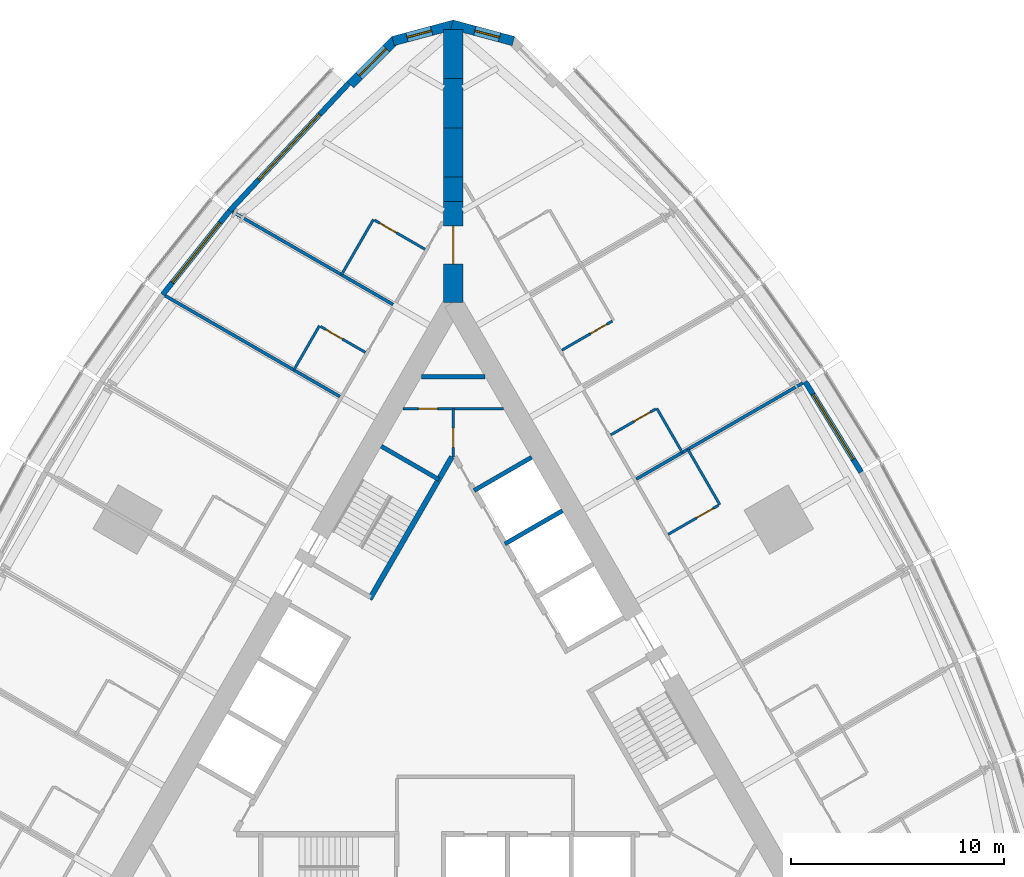
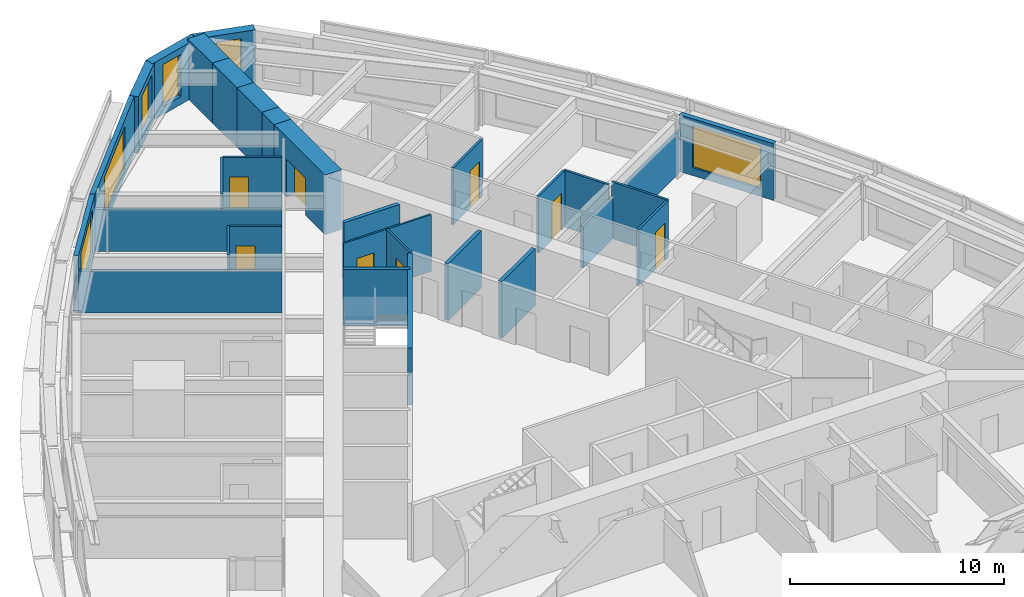
# One storey, part 12 of 14: 30 walls, 8 doors, 6 windows, 14 openings.
"""IFC4 building model written with IfcOpenShell, lengths in metres."""

from ifc_helpers import new_model, si_unit, direction, frame, frame_2d, origin, place, context, subcontext, project, spatial, polyline, rectangle, outline, extrude, material, layer, layer_set, type_object, element, fill, save


model = new_model("IFC4")

# Units and contexts
model_context = context("Model", 3, precision=1e-05, world=origin(), true_north=direction((0.0, 1.0)))
body_context = subcontext(model_context, "Body", "Model", "MODEL_VIEW")
ifc_project = project(units=[si_unit("LENGTHUNIT", "METRE"), si_unit("AREAUNIT", "SQUARE_METRE"), si_unit("VOLUMEUNIT", "CUBIC_METRE"), si_unit("PLANEANGLEUNIT", "RADIAN"), si_unit("MASSUNIT", "GRAM", prefix="KILO")], contexts=[model_context])

# Site, building, storey
site_placement = place(None, origin())
site = spatial("IfcSite", under=ifc_project, at=site_placement, CompositionType="ELEMENT")
building_placement = place(site_placement, origin())
building = spatial("IfcBuilding", under=site, at=building_placement, Name="Trikona Tower", CompositionType="ELEMENT")
storey_placement = place(building_placement, frame((0.0, 0.0, 45.5)))
storey = spatial("IfcBuildingStorey", under=building, at=storey_placement, Name="L10", CompositionType="ELEMENT", Elevation=45.5)

# Wall
ifc_material_1 = material(Name="Metal stud and cement board", Category="gypsum")
ifc_layer_1 = layer(ifc_material_1, 0.1201171875)
ifc_layer_set_1 = layer_set([ifc_layer_1], Name="Bathroom wall 120")
wall_type_1 = type_object("IfcWallType", Name="Bathroom wall 120", PredefinedType="PLUMBINGWALL", material=ifc_layer_set_1)
wall_1_placement = place(storey_placement, frame((12.53271484375, 9.545166015625, 0.0), z_axis=(0.0, 0.0, 1.0), x_axis=(-0.499990139034, 0.866031096941, 0.0)))
element("IfcWall", 1, at=wall_1_placement, inside=storey, type_object=wall_type_1, Name="Bathroom wall 1009", PredefinedType="PLUMBINGWALL", context=body_context, shape_type="SweptSolid", body=[
    extrude(rectangle(XDim=3.0, YDim=0.1201171875, at=frame_2d((1.5, 0.0))), origin(), (0.0, 0.0, 1.0), 3.235107421875),
])

# Wall, opening, door
wall_2_placement = place(storey_placement, frame((10.10791015625, 8.145263671875, 0.0), z_axis=(0.0, 0.0, 1.0), x_axis=(0.866035715982, 0.499982138324, 0.0)))
wall_2 = element("IfcWall", 2, at=wall_2_placement, inside=storey, type_object=wall_type_1, Name="Bathroom wall 1009", PredefinedType="PLUMBINGWALL", context=body_context, shape_type="SweptSolid", body=[
    extrude(rectangle(XDim=2.73974609375, YDim=0.1201171875, at=frame_2d((1.369873046875, 0.0))), origin(), (0.0, 0.0, 1.0), 3.235107421875),
])
opening_1_placement = place(wall_2_placement, frame((1.550048828125, 0.0, 0.0)))
opening_1 = element("IfcOpeningElement", 3, at=opening_1_placement, cuts=wall_2, Name="Opening D2", PredefinedType="OPENING", context=body_context, shape_type="SweptSolid", body=[
    extrude(rectangle(XDim=0.89990234375, YDim=2.1298828125, at=frame_2d((0.449951171875, 1.06494140625))), frame((0.0, 0.070068359375, 0.0), z_axis=(0.0, -1.0, 0.0), x_axis=(1.0, 0.0, 0.0)), (0.0, 0.0, 1.0), 0.14013671875),
])
ifc_material_2 = material(Name="Steel door frame with solid-core timber leaf", Category="steel")
door_type_1 = type_object("IfcDoorType", Name="Bathroom door 900x2130", OperationType="SLIDING_TO_LEFT", PredefinedType="DOOR", material=ifc_material_2)
door_1_placement = place(opening_1_placement, origin())
door_1 = element("IfcDoor", 4, at=door_1_placement, inside=storey, type_object=door_type_1, Name="Bathroom door 1009", OperationType="SLIDING_TO_LEFT", OverallHeight=2.1298828125, OverallWidth=0.89990234375, PredefinedType="DOOR", context=body_context, shape_type="SweptSolid", body=[
    extrude(rectangle(XDim=0.89990234375, YDim=2.1298828125, at=frame_2d((0.449951171875, 1.06494140625))), frame((0.0, 0.02490234375, 0.0), z_axis=(0.0, -1.0, 0.0), x_axis=(1.0, 0.0, 0.0)), (0.0, 0.0, 1.0), 0.050048828125),
])
fill(opening_1, door_1)

# Wall
wall_3_placement = place(storey_placement, frame((10.77294921875, 11.993408203125, 0.0), z_axis=(0.0, 0.0, 1.0), x_axis=(-0.500001309137, 0.866024647952, 0.0)))
element("IfcWall", 5, at=wall_3_placement, inside=storey, type_object=wall_type_1, Name="Bathroom wall 1010", PredefinedType="PLUMBINGWALL", context=body_context, shape_type="SweptSolid", body=[
    extrude(rectangle(XDim=2.39990234375, YDim=0.1201171875, at=frame_2d((1.199951171875, 0.0))), origin(), (0.0, 0.0, 1.0), 3.235107421875),
])

# Wall, opening, door
wall_4_placement = place(storey_placement, frame((7.407958984375, 12.82177734375, 0.0), z_axis=(0.0, 0.0, 1.0), x_axis=(0.866023955769, 0.500002508028, 0.0)))
wall_4 = element("IfcWall", 6, at=wall_4_placement, inside=storey, type_object=wall_type_1, Name="Bathroom wall 1010", PredefinedType="PLUMBINGWALL", context=body_context, shape_type="SweptSolid", body=[
    extrude(rectangle(XDim=2.43994140625, YDim=0.1201171875, at=frame_2d((1.219970703125, 0.0))), origin(), (0.0, 0.0, 1.0), 3.235107421875),
])
opening_2_placement = place(wall_4_placement, frame((1.25, 0.0, 0.0)))
opening_2 = element("IfcOpeningElement", 7, at=opening_2_placement, cuts=wall_4, Name="Opening D2", PredefinedType="OPENING", context=body_context, shape_type="SweptSolid", body=[
    extrude(rectangle(XDim=0.89990234375, YDim=2.1298828125, at=frame_2d((0.449951171875, 1.06494140625))), frame((0.0, 0.070068359375, 0.0), z_axis=(0.0, -1.0, 0.0), x_axis=(1.0, 0.0, 0.0)), (0.0, 0.0, 1.0), 0.14013671875),
])
door_2_placement = place(opening_2_placement, origin())
door_2 = element("IfcDoor", 8, at=door_2_placement, inside=storey, type_object=door_type_1, Name="Bathroom door 1010", OperationType="SLIDING_TO_LEFT", OverallHeight=2.1298828125, OverallWidth=0.89990234375, PredefinedType="DOOR", context=body_context, shape_type="SweptSolid", body=[
    extrude(rectangle(XDim=0.89990234375, YDim=2.1298828125, at=frame_2d((0.449951171875, 1.06494140625))), frame((0.0, 0.02490234375, 0.0), z_axis=(0.0, -1.0, 0.0), x_axis=(1.0, 0.0, 0.0)), (0.0, 0.0, 1.0), 0.050048828125),
])
fill(opening_2, door_2)

wall_5_placement = place(storey_placement, frame((5.10791015625, 16.805419921875, 0.0), z_axis=(0.0, 0.0, 1.0), x_axis=(0.866035715982, 0.499982138324, 0.0)))
wall_5 = element("IfcWall", 9, at=wall_5_placement, inside=storey, type_object=wall_type_1, Name="Bathroom wall 1011", PredefinedType="PLUMBINGWALL", context=body_context, shape_type="SweptSolid", body=[
    extrude(rectangle(XDim=2.73974609375, YDim=0.1201171875, at=frame_2d((1.369873046875, 0.0))), origin(), (0.0, 0.0, 1.0), 3.235107421875),
])
opening_3_placement = place(wall_5_placement, frame((1.550048828125, 0.0, 0.0)))
opening_3 = element("IfcOpeningElement", 10, at=opening_3_placement, cuts=wall_5, Name="Opening D2", PredefinedType="OPENING", context=body_context, shape_type="SweptSolid", body=[
    extrude(rectangle(XDim=0.89990234375, YDim=2.1298828125, at=frame_2d((0.449951171875, 1.06494140625))), frame((0.0, 0.070068359375, 0.0), z_axis=(0.0, -1.0, 0.0), x_axis=(1.0, 0.0, 0.0)), (0.0, 0.0, 1.0), 0.14013671875),
])
door_3_placement = place(opening_3_placement, origin())
door_3 = element("IfcDoor", 11, at=door_3_placement, inside=storey, type_object=door_type_1, Name="Bathroom door 1011", OperationType="SLIDING_TO_LEFT", OverallHeight=2.1298828125, OverallWidth=0.89990234375, PredefinedType="DOOR", context=body_context, shape_type="SweptSolid", body=[
    extrude(rectangle(XDim=0.89990234375, YDim=2.1298828125, at=frame_2d((0.449951171875, 1.06494140625))), frame((0.0, 0.02490234375, 0.0), z_axis=(0.0, -1.0, 0.0), x_axis=(1.0, 0.0, 0.0)), (0.0, 0.0, 1.0), 0.050048828125),
])
fill(opening_3, door_3)

# Wall
wall_6_placement = place(storey_placement, frame((-3.75341796875, 22.95166015625, 0.0), z_axis=(0.0, 0.0, 1.0), x_axis=(-0.499990139034, -0.866031096941, 0.0)))
element("IfcWall", 12, at=wall_6_placement, inside=storey, type_object=wall_type_1, Name="Bathroom wall 1013", PredefinedType="PLUMBINGWALL", context=body_context, shape_type="SweptSolid", body=[
    extrude(rectangle(XDim=3.0, YDim=0.1201171875, at=frame_2d((1.5, 0.0))), origin(), (0.0, 0.0, 1.0), 3.235107421875),
])

# Wall, opening, door
wall_7_placement = place(storey_placement, frame((-1.32861328125, 21.551513671875, 0.0), z_axis=(0.0, 0.0, 1.0), x_axis=(-0.865997131366, 0.500048966069, 0.0)))
wall_7 = element("IfcWall", 13, at=wall_7_placement, inside=storey, type_object=wall_type_1, Name="Bathroom wall 1013", PredefinedType="PLUMBINGWALL", context=body_context, shape_type="SweptSolid", body=[
    extrude(rectangle(XDim=2.739990234375, YDim=0.1201171875, at=frame_2d((1.3701171875, 0.0))), origin(), (0.0, 0.0, 1.0), 3.235107421875),
])
opening_4_placement = place(wall_7_placement, frame((1.550048828125, 0.0, 0.0)))
opening_4 = element("IfcOpeningElement", 14, at=opening_4_placement, cuts=wall_7, Name="Opening D2", PredefinedType="OPENING", context=body_context, shape_type="SweptSolid", body=[
    extrude(rectangle(XDim=0.89990234375, YDim=2.1298828125, at=frame_2d((0.449951171875, 1.06494140625))), frame((0.0, 0.070068359375, 0.0), z_axis=(0.0, -1.0, 0.0), x_axis=(1.0, 0.0, 0.0)), (0.0, 0.0, 1.0), 0.14013671875),
])
door_4_placement = place(opening_4_placement, origin())
door_4 = element("IfcDoor", 15, at=door_4_placement, inside=storey, type_object=door_type_1, Name="Bathroom door 1013", OperationType="SLIDING_TO_LEFT", OverallHeight=2.1298828125, OverallWidth=0.89990234375, PredefinedType="DOOR", context=body_context, shape_type="SweptSolid", body=[
    extrude(rectangle(XDim=0.89990234375, YDim=2.1298828125, at=frame_2d((0.449951171875, 1.06494140625))), frame((0.0, 0.02490234375, 0.0), z_axis=(0.0, -1.0, 0.0), x_axis=(1.0, 0.0, 0.0)), (0.0, 0.0, 1.0), 0.050048828125),
])
fill(opening_4, door_4)

# Wall
wall_8_placement = place(storey_placement, frame((-6.29345703125, 17.951904296875, 0.0), z_axis=(0.0, 0.0, 1.0), x_axis=(-0.499957262057, -0.866050077142, 0.0)))
element("IfcWall", 16, at=wall_8_placement, inside=storey, type_object=wall_type_1, Name="Bathroom wall 1014", PredefinedType="PLUMBINGWALL", context=body_context, shape_type="SweptSolid", body=[
    extrude(rectangle(XDim=2.400146484375, YDim=0.1201171875, at=frame_2d((1.2001953125, 0.0))), origin(), (0.0, 0.0, 1.0), 3.235107421875),
])

# Wall, opening, door
wall_9_placement = place(storey_placement, frame((-4.12841796875, 16.701904296875, 0.0), z_axis=(0.0, 0.0, 1.0), x_axis=(-0.866048967903, 0.499959183527, 0.0)))
wall_9 = element("IfcWall", 17, at=wall_9_placement, inside=storey, type_object=wall_type_1, Name="Bathroom wall 1014", PredefinedType="PLUMBINGWALL", context=body_context, shape_type="SweptSolid", body=[
    extrude(rectangle(XDim=2.440185546875, YDim=0.1201171875, at=frame_2d((1.22021484375, 0.0))), origin(), (0.0, 0.0, 1.0), 3.235107421875),
])
opening_5_placement = place(wall_9_placement, frame((1.25, 0.0, 0.0)))
opening_5 = element("IfcOpeningElement", 18, at=opening_5_placement, cuts=wall_9, Name="Opening D2", PredefinedType="OPENING", context=body_context, shape_type="SweptSolid", body=[
    extrude(rectangle(XDim=0.89990234375, YDim=2.1298828125, at=frame_2d((0.449951171875, 1.06494140625))), frame((0.0, 0.070068359375, 0.0), z_axis=(0.0, -1.0, 0.0), x_axis=(1.0, 0.0, 0.0)), (0.0, 0.0, 1.0), 0.14013671875),
])
door_5_placement = place(opening_5_placement, origin())
door_5 = element("IfcDoor", 19, at=door_5_placement, inside=storey, type_object=door_type_1, Name="Bathroom door 1014", OperationType="SLIDING_TO_LEFT", OverallHeight=2.1298828125, OverallWidth=0.89990234375, PredefinedType="DOOR", context=body_context, shape_type="SweptSolid", body=[
    extrude(rectangle(XDim=0.89990234375, YDim=2.1298828125, at=frame_2d((0.449951171875, 1.06494140625))), frame((0.0, 0.02490234375, 0.0), z_axis=(0.0, -1.0, 0.0), x_axis=(1.0, 0.0, 0.0)), (0.0, 0.0, 1.0), 0.050048828125),
])
fill(opening_5, door_5)

# Wall, opening, window
ifc_material_3 = material(Name="Brick-faced precast concrete", Category="masonry")
ifc_layer_2 = layer(ifc_material_3, 0.449951171875)
ifc_layer_set_2 = layer_set([ifc_layer_2], Name="Brick-faced corner wall 450")
wall_type_2 = type_object("IfcWallType", Name="Brick-faced corner wall 450", PredefinedType="SOLIDWALL", material=ifc_layer_set_2)
wall_10_placement = place(storey_placement, frame((2.82861328125, 31.3408203125, 0.0), z_axis=(0.0, 0.0, 1.0), x_axis=(-0.965930548995, 0.258801419081, 0.0)))
wall_10 = element("IfcWall", 20, at=wall_10_placement, inside=storey, type_object=wall_type_2, Name="External wall L10-21", PredefinedType="SOLIDWALL", context=body_context, shape_type="SweptSolid", body=[
    extrude(outline(polyline([(2.988525390625, 0.22509765625), (2.92919921875, 0.22509765625), (2.4375, 0.09326171875), (2.40234375, 0.22509765625), (0.0, 0.22509765625), (0.0, -0.22509765625), (2.988525390625, -0.22509765625), (2.988525390625, 0.22509765625)])), origin(), (0.0, 0.0, 1.0), 3.235107421875),
])
opening_6_placement = place(wall_10_placement, frame((0.676025390625, 0.0, 0.449951171875)))
opening_6 = element("IfcOpeningElement", 21, at=opening_6_placement, cuts=wall_10, Name="Opening W1224", PredefinedType="OPENING", context=body_context, shape_type="SweptSolid", body=[
    extrude(rectangle(XDim=1.199951171875, YDim=2.39990234375, at=frame_2d((0.60009765625, 1.199951171875))), frame((0.0, 0.23486328125, 0.0), z_axis=(0.0, -1.0, 0.0), x_axis=(1.0, 0.0, 0.0)), (0.0, 0.0, 1.0), 0.469970703125),
])
ifc_material_4 = material(Name="Aluminium-framed double glazing", Category="aluminium")
window_type_1 = type_object("IfcWindowType", Name="Window 1200x2400", PartitioningType="SINGLE_PANEL", PredefinedType="WINDOW", material=ifc_material_4)
window_1_placement = place(opening_6_placement, origin())
window_1 = element("IfcWindow", 22, at=window_1_placement, inside=storey, type_object=window_type_1, Name="Window 1012", OverallHeight=2.39990234375, OverallWidth=1.199951171875, PartitioningType="SINGLE_PANEL", PredefinedType="WINDOW", context=body_context, shape_type="SweptSolid", body=[
    extrude(rectangle(XDim=1.199951171875, YDim=2.39990234375, at=frame_2d((0.60009765625, 1.199951171875))), frame((0.0, 0.030029296875, 0.0), z_axis=(0.0, -1.0, 0.0), x_axis=(1.0, 0.0, 0.0)), (0.0, 0.0, 1.0), 0.06005859375),
])
fill(opening_6, window_1)

wall_11_placement = place(storey_placement, frame((0.05810546875, 32.1142578125, 0.0), z_axis=(0.0, 0.0, 1.0), x_axis=(-0.965930548995, -0.258801419081, 0.0)))
wall_11 = element("IfcWall", 23, at=wall_11_placement, inside=storey, type_object=wall_type_2, Name="External wall L10-22", PredefinedType="SOLIDWALL", context=body_context, shape_type="SweptSolid", body=[
    extrude(outline(polyline([(2.988525390625, 0.22509765625), (0.58642578125, 0.22509765625), (0.551025390625, 0.09326171875), (0.059326171875, 0.22509765625), (0.0, 0.22509765625), (0.0, -0.22509765625), (2.988525390625, -0.22509765625), (2.988525390625, 0.22509765625)])), origin(), (0.0, 0.0, 1.0), 3.235107421875),
])
opening_7_placement = place(wall_11_placement, frame((1.112548828125, 0.0, 0.449951171875)))
opening_7 = element("IfcOpeningElement", 24, at=opening_7_placement, cuts=wall_11, Name="Opening W1224", PredefinedType="OPENING", context=body_context, shape_type="SweptSolid", body=[
    extrude(rectangle(XDim=1.199951171875, YDim=2.39990234375, at=frame_2d((0.60009765625, 1.199951171875))), frame((0.0, 0.23486328125, 0.0), z_axis=(0.0, -1.0, 0.0), x_axis=(1.0, 0.0, 0.0)), (0.0, 0.0, 1.0), 0.469970703125),
])
window_2_placement = place(opening_7_placement, origin())
window_2 = element("IfcWindow", 25, at=window_2_placement, inside=storey, type_object=window_type_1, Name="Window 1013", OverallHeight=2.39990234375, OverallWidth=1.199951171875, PartitioningType="SINGLE_PANEL", PredefinedType="WINDOW", context=body_context, shape_type="SweptSolid", body=[
    extrude(rectangle(XDim=1.199951171875, YDim=2.39990234375, at=frame_2d((0.60009765625, 1.199951171875))), frame((0.0, 0.030029296875, 0.0), z_axis=(0.0, -1.0, 0.0), x_axis=(1.0, 0.0, 0.0)), (0.0, 0.0, 1.0), 0.06005859375),
])
fill(opening_7, window_2)

wall_12_placement = place(storey_placement, frame((-2.727783203125, 31.39892578125, 0.0), z_axis=(0.0, 0.0, 1.0), x_axis=(-0.707106781187, -0.707106781187, 0.0)))
wall_12 = element("IfcWall", 26, at=wall_12_placement, inside=storey, type_object=wall_type_2, Name="External wall L10-23", PredefinedType="SOLIDWALL", context=body_context, shape_type="SweptSolid", body=[
    extrude(rectangle(XDim=2.98828125, YDim=0.449951171875, at=frame_2d((1.494140625, 0.0))), origin(), (0.0, 0.0, 1.0), 3.235107421875),
])
opening_8_placement = place(wall_12_placement, frame((0.59423828125, 0.0, 0.449951171875)))
opening_8 = element("IfcOpeningElement", 27, at=opening_8_placement, cuts=wall_12, Name="Opening W1824", PredefinedType="OPENING", context=body_context, shape_type="SweptSolid", body=[
    extrude(rectangle(XDim=1.800048828125, YDim=2.39990234375, at=frame_2d((0.89990234375, 1.199951171875))), frame((0.0, 0.23486328125, 0.0), z_axis=(0.0, -1.0, 0.0), x_axis=(1.0, 0.0, 0.0)), (0.0, 0.0, 1.0), 0.469970703125),
])
ifc_material_5 = material(Name="Aluminium-framed double glazing", Category="aluminium")
window_type_2 = type_object("IfcWindowType", Name="Window 1800x2400", PartitioningType="SINGLE_PANEL", PredefinedType="WINDOW", material=ifc_material_5)
window_3_placement = place(opening_8_placement, origin())
window_3 = element("IfcWindow", 28, at=window_3_placement, inside=storey, type_object=window_type_2, Name="Window 1013", OverallHeight=2.39990234375, OverallWidth=1.800048828125, PartitioningType="SINGLE_PANEL", PredefinedType="WINDOW", context=body_context, shape_type="SweptSolid", body=[
    extrude(rectangle(XDim=1.800048828125, YDim=2.39990234375, at=frame_2d((0.89990234375, 1.199951171875))), frame((0.0, 0.030029296875, 0.0), z_axis=(0.0, -1.0, 0.0), x_axis=(1.0, 0.0, 0.0)), (0.0, 0.0, 1.0), 0.06005859375),
])
fill(opening_8, window_3)

# Wall, opening, door
ifc_material_6 = material(Name="Concrete f'c 10000 psi", Category="concrete")
ifc_layer_3 = layer(ifc_material_6, 0.89990234375)
ifc_layer_set_3 = layer_set([ifc_layer_3], Name="Buttress wall 900")
wall_type_3 = type_object("IfcWallType", Name="Buttress wall 900", PredefinedType="SHEAR", material=ifc_layer_set_3)
wall_13_placement = place(storey_placement, frame((0.0, 19.052490234375, 0.0), z_axis=(0.0, 0.0, 1.0), x_axis=(0.0, 1.0, 0.0)))
wall_13 = element("IfcWall", 29, at=wall_13_placement, inside=storey, type_object=wall_type_3, Name="Buttress wall 2", PredefinedType="SHEAR", context=body_context, shape_type="SweptSolid", body=[
    extrude(rectangle(XDim=4.74609375, YDim=0.89990234375, at=frame_2d((2.373046875, 0.0))), origin(), (0.0, 0.0, 1.0), 3.39990234375),
])
opening_9_placement = place(wall_13_placement, frame((1.800048828125, 0.0, 0.0)))
opening_9 = element("IfcOpeningElement", 30, at=opening_9_placement, cuts=wall_13, Name="Opening D10", PredefinedType="OPENING", context=body_context, shape_type="SweptSolid", body=[
    extrude(rectangle(XDim=1.800048828125, YDim=2.1298828125, at=frame_2d((0.89990234375, 1.06494140625))), frame((0.0, 0.4599609375, 0.0), z_axis=(0.0, -1.0, 0.0), x_axis=(1.0, 0.0, 0.0)), (0.0, 0.0, 1.0), 0.919921875),
])
ifc_material_7 = material(Name="Hollow metal door and frame", Category="steel")
door_type_2 = type_object("IfcDoorType", Name="Cross-corridor door pair 1800x2130", OperationType="DOUBLE_DOOR_DOUBLE_SWING", PredefinedType="DOOR", material=ifc_material_7)
door_6_placement = place(opening_9_placement, origin())
door_6 = element("IfcDoor", 31, at=door_6_placement, inside=storey, type_object=door_type_2, Name="Cross-corridor door 2", OperationType="DOUBLE_DOOR_DOUBLE_SWING", OverallHeight=2.1298828125, OverallWidth=1.800048828125, PredefinedType="DOOR", context=body_context, shape_type="SweptSolid", body=[
    extrude(rectangle(XDim=1.800048828125, YDim=2.1298828125, at=frame_2d((0.89990234375, 1.06494140625))), frame((0.0, 0.02490234375, 0.0), z_axis=(0.0, -1.0, 0.0), x_axis=(1.0, 0.0, 0.0)), (0.0, 0.0, 1.0), 0.050048828125),
])
fill(opening_9, door_6)

# Walls
wall_14_placement = place(storey_placement, frame((0.0, 23.798583984375, 0.0), z_axis=(0.0, 0.0, 1.0), x_axis=(0.0, 1.0, 0.0)))
element("IfcWall", 32, at=wall_14_placement, inside=storey, type_object=wall_type_3, Name="Buttress wall 2 part 2", PredefinedType="SHEAR", context=body_context, shape_type="SweptSolid", body=[
    extrude(rectangle(XDim=1.15478515625, YDim=0.89990234375, at=frame_2d((0.577392578125, 0.0))), origin(), (0.0, 0.0, 1.0), 3.39990234375),
])
wall_15_placement = place(storey_placement, frame((0.0, 24.953369140625, 0.0), z_axis=(0.0, 0.0, 1.0), x_axis=(0.0, 1.0, 0.0)))
element("IfcWall", 33, at=wall_15_placement, inside=storey, type_object=wall_type_3, Name="Buttress wall 2 part 3", PredefinedType="SHEAR", context=body_context, shape_type="SweptSolid", body=[
    extrude(rectangle(XDim=2.309326171875, YDim=0.89990234375, at=frame_2d((1.15478515625, 0.0))), origin(), (0.0, 0.0, 1.0), 3.39990234375),
])
wall_16_placement = place(storey_placement, frame((0.0, 27.2626953125, 0.0), z_axis=(0.0, 0.0, 1.0), x_axis=(0.0, 1.0, 0.0)))
element("IfcWall", 34, at=wall_16_placement, inside=storey, type_object=wall_type_3, Name="Buttress wall 2 part 4", PredefinedType="SHEAR", context=body_context, shape_type="SweptSolid", body=[
    extrude(rectangle(XDim=2.3095703125, YDim=0.89990234375, at=frame_2d((1.15478515625, 0.0))), origin(), (0.0, 0.0, 1.0), 3.39990234375),
])
wall_17_placement = place(storey_placement, frame((0.0, 29.572265625, 0.0), z_axis=(0.0, 0.0, 1.0), x_axis=(0.0, 1.0, 0.0)))
element("IfcWall", 35, at=wall_17_placement, inside=storey, type_object=wall_type_3, Name="Buttress wall 2 part 5", PredefinedType="SHEAR", context=body_context, shape_type="SweptSolid", body=[
    extrude(rectangle(XDim=2.309326171875, YDim=0.89990234375, at=frame_2d((1.15478515625, 0.0))), origin(), (0.0, 0.0, 1.0), 3.39990234375),
])
ifc_material_8 = material(Name="Concrete f'c 8000 psi", Category="concrete")
ifc_layer_4 = layer(ifc_material_8, 0.25)
ifc_layer_set_4 = layer_set([ifc_layer_4], Name="Hub wall 250")
wall_type_4 = type_object("IfcWallType", Name="Hub wall 250", PredefinedType="SOLIDWALL", material=ifc_layer_set_4)
wall_18_placement = place(storey_placement, frame((-0.0625, 11.794189453125, 0.0), z_axis=(0.0, 0.0, 1.0), x_axis=(-0.500006680225, -0.86602154692, 0.0)))
element("IfcWall", 36, at=wall_18_placement, inside=storey, type_object=wall_type_4, Name="Lift lobby wall C1", PredefinedType="SOLIDWALL", context=body_context, shape_type="SweptSolid", body=[
    extrude(rectangle(XDim=7.73291015625, YDim=0.25, at=frame_2d((3.866455078125, 0.0))), origin(), (0.0, 0.0, 1.0), 3.235107421875),
])

# Wall, opening, window
ifc_material_9 = material(Name="Insulated precast concrete spandrel panel", Category="concrete")
ifc_layer_5 = layer(ifc_material_9, 0.25)
ifc_layer_set_5 = layer_set([ifc_layer_5], Name="Inner skin wall 250")
wall_type_5 = type_object("IfcWallType", Name="Inner skin wall 250", PredefinedType="STANDARD", material=ifc_layer_set_5)
wall_19_placement = place(storey_placement, frame((19.182373046875, 11.070556640625, 0.0), z_axis=(0.0, 0.0, 1.0), x_axis=(-0.526132807704, 0.850402415717, 0.0)))
wall_19 = element("IfcWall", 37, at=wall_19_placement, inside=storey, type_object=wall_type_5, Name="External wall L10-16", PredefinedType="STANDARD", context=body_context, shape_type="SweptSolid", body=[
    extrude(rectangle(XDim=5.002197265625, YDim=0.25, at=frame_2d((2.5009765625, 0.0))), origin(), (0.0, 0.0, 1.0), 3.235107421875),
])
opening_10_placement = place(wall_19_placement, frame((0.701171875, 0.0, 0.449951171875)))
opening_10 = element("IfcOpeningElement", 38, at=opening_10_placement, cuts=wall_19, Name="Opening W3624", PredefinedType="OPENING", context=body_context, shape_type="SweptSolid", body=[
    extrude(rectangle(XDim=3.60009765625, YDim=2.39990234375, at=frame_2d((1.800048828125, 1.199951171875))), frame((0.0, 0.135009765625, 0.0), z_axis=(0.0, -1.0, 0.0), x_axis=(1.0, 0.0, 0.0)), (0.0, 0.0, 1.0), 0.27001953125),
])
ifc_material_10 = material(Name="Aluminium-framed double glazing", Category="aluminium")
window_type_3 = type_object("IfcWindowType", Name="Window 3600x2400", PartitioningType="SINGLE_PANEL", PredefinedType="WINDOW", material=ifc_material_10)
window_4_placement = place(opening_10_placement, origin())
window_4 = element("IfcWindow", 39, at=window_4_placement, inside=storey, type_object=window_type_3, Name="Window 1009", OverallHeight=2.39990234375, OverallWidth=3.60009765625, PartitioningType="SINGLE_PANEL", PredefinedType="WINDOW", context=body_context, shape_type="SweptSolid", body=[
    extrude(rectangle(XDim=3.60009765625, YDim=2.39990234375, at=frame_2d((1.800048828125, 1.199951171875))), frame((0.0, 0.030029296875, 0.0), z_axis=(0.0, -1.0, 0.0), x_axis=(1.0, 0.0, 0.0)), (0.0, 0.0, 1.0), 0.06005859375),
])
fill(opening_10, window_4)

wall_20_placement = place(storey_placement, frame((-4.90869140625, 29.359619140625, 0.0), z_axis=(0.0, 0.0, 1.0), x_axis=(-0.682289646561, -0.731081964075, 0.0)))
wall_20 = element("IfcWall", 40, at=wall_20_placement, inside=storey, type_object=wall_type_5, Name="External wall L10-24", PredefinedType="STANDARD", context=body_context, shape_type="SweptSolid", body=[
    extrude(rectangle(XDim=8.2109375, YDim=0.25, at=frame_2d((4.10546875, 0.0))), origin(), (0.0, 0.0, 1.0), 3.235107421875),
])
opening_11_placement = place(wall_20_placement, frame((2.005615234375, 0.0, 0.449951171875)))
opening_11 = element("IfcOpeningElement", 41, at=opening_11_placement, cuts=wall_20, Name="Opening W4224", PredefinedType="OPENING", context=body_context, shape_type="SweptSolid", body=[
    extrude(rectangle(XDim=4.199951171875, YDim=2.39990234375, at=frame_2d((2.10009765625, 1.199951171875))), frame((0.0, 0.135009765625, 0.0), z_axis=(0.0, -1.0, 0.0), x_axis=(1.0, 0.0, 0.0)), (0.0, 0.0, 1.0), 0.27001953125),
])
ifc_material_11 = material(Name="Aluminium-framed double glazing", Category="aluminium")
window_type_4 = type_object("IfcWindowType", Name="Window 4200x2400", PartitioningType="SINGLE_PANEL", PredefinedType="WINDOW", material=ifc_material_11)
window_5_placement = place(opening_11_placement, origin())
window_5 = element("IfcWindow", 42, at=window_5_placement, inside=storey, type_object=window_type_4, Name="Window 1013", OverallHeight=2.39990234375, OverallWidth=4.199951171875, PartitioningType="SINGLE_PANEL", PredefinedType="WINDOW", context=body_context, shape_type="SweptSolid", body=[
    extrude(rectangle(XDim=4.199951171875, YDim=2.39990234375, at=frame_2d((2.10009765625, 1.199951171875))), frame((0.0, 0.030029296875, 0.0), z_axis=(0.0, -1.0, 0.0), x_axis=(1.0, 0.0, 0.0)), (0.0, 0.0, 1.0), 0.06005859375),
])
fill(opening_11, window_5)

wall_21_placement = place(storey_placement, frame((-10.5048828125, 23.36376953125, 0.0), z_axis=(0.0, 0.0, 1.0), x_axis=(-0.624594965756, -0.780948864364, 0.0)))
wall_21 = element("IfcWall", 43, at=wall_21_placement, inside=storey, type_object=wall_type_5, Name="External wall L10-25", PredefinedType="STANDARD", context=body_context, shape_type="SweptSolid", body=[
    extrude(rectangle(XDim=5.0576171875, YDim=0.25, at=frame_2d((2.52880859375, 0.0))), origin(), (0.0, 0.0, 1.0), 3.235107421875),
])
opening_12_placement = place(wall_21_placement, frame((0.728759765625, 0.0, 0.449951171875)))
opening_12 = element("IfcOpeningElement", 44, at=opening_12_placement, cuts=wall_21, Name="Opening W3624", PredefinedType="OPENING", context=body_context, shape_type="SweptSolid", body=[
    extrude(rectangle(XDim=3.60009765625, YDim=2.39990234375, at=frame_2d((1.800048828125, 1.199951171875))), frame((0.0, 0.135009765625, 0.0), z_axis=(0.0, -1.0, 0.0), x_axis=(1.0, 0.0, 0.0)), (0.0, 0.0, 1.0), 0.27001953125),
])
window_6_placement = place(opening_12_placement, origin())
window_6 = element("IfcWindow", 45, at=window_6_placement, inside=storey, type_object=window_type_3, Name="Window 1014", OverallHeight=2.39990234375, OverallWidth=3.60009765625, PartitioningType="SINGLE_PANEL", PredefinedType="WINDOW", context=body_context, shape_type="SweptSolid", body=[
    extrude(rectangle(XDim=3.60009765625, YDim=2.39990234375, at=frame_2d((1.800048828125, 1.199951171875))), frame((0.0, 0.030029296875, 0.0), z_axis=(0.0, -1.0, 0.0), x_axis=(1.0, 0.0, 0.0)), (0.0, 0.0, 1.0), 0.06005859375),
])
fill(opening_12, window_6)

# Walls
ifc_material_12 = material(Name="Metal stud and gypsum board, 1-hour acoustic", Category="gypsum")
ifc_layer_6 = layer(ifc_material_12, 0.14990234375)
ifc_layer_set_6 = layer_set([ifc_layer_6], Name="Party wall 150")
wall_type_6 = type_object("IfcWallType", Name="Party wall 150", PredefinedType="PARTITIONING", material=ifc_layer_set_6)
wall_22_placement = place(storey_placement, frame((8.60791015625, 10.743408203125, 0.0), z_axis=(0.0, 0.0, 1.0), x_axis=(0.866028232062, 0.499995101247, 0.0)))
element("IfcWall", 46, at=wall_22_placement, inside=storey, type_object=wall_type_6, Name="Partition L10 F2 u5", PredefinedType="PARTITIONING", context=body_context, shape_type="SweptSolid", body=[
    extrude(rectangle(XDim=9.04296875, YDim=0.14990234375, at=frame_2d((4.521484375, 0.0))), origin(), (0.0, 0.0, 1.0), 2.38916015625),
])
wall_23_placement = place(storey_placement, frame((-2.82861328125, 18.95361328125, 0.0), z_axis=(0.0, 0.0, 1.0), x_axis=(-0.866020536561, 0.500008430184, 0.0)))
element("IfcWall", 47, at=wall_23_placement, inside=storey, type_object=wall_type_6, Name="Partition L10 F3 u-15", PredefinedType="PARTITIONING", context=body_context, shape_type="SweptSolid", body=[
    extrude(rectangle(XDim=8.719970703125, YDim=0.14990234375, at=frame_2d((4.35986328125, 0.0))), origin(), (0.0, 0.0, 1.0), 2.38916015625),
])
wall_24_placement = place(storey_placement, frame((-5.32861328125, 14.623291015625, 0.0), z_axis=(0.0, 0.0, 1.0), x_axis=(-0.866018409083, 0.500012114982, 0.0)))
element("IfcWall", 48, at=wall_24_placement, inside=storey, type_object=wall_type_6, Name="Partition L10 F3 u-10", PredefinedType="PARTITIONING", context=body_context, shape_type="SweptSolid", body=[
    extrude(rectangle(XDim=9.484619140625, YDim=0.14990234375, at=frame_2d((4.7421875, 0.0))), origin(), (0.0, 0.0, 1.0), 2.38916015625),
])
ifc_material_13 = material(Name="Concrete f'c 8000 psi", Category="concrete")
ifc_layer_7 = layer(ifc_material_13, 0.199951171875)
ifc_layer_set_7 = layer_set([ifc_layer_7], Name="Shaft wall 200")
wall_type_7 = type_object("IfcWallType", Name="Shaft wall 200", PredefinedType="SOLIDWALL", material=ifc_layer_set_7)
for number, where, z_axis, x_axis, name in (
    (49, (2.428955078125, 7.695556640625, 0.0), (0.0, 0.0, 1.0), (0.866022959057, 0.500004234368, 0.0), "Shaft wall B5"),
    (50, (0.97900390625, 10.20703125, 0.0), (0.0, 0.0, 1.0), (0.866022959057, 0.500004234368, 0.0), "Shaft wall B6"),
):
    element("IfcWall", number, at=place(storey_placement, frame(where, z_axis=z_axis, x_axis=x_axis)), inside=storey, type_object=wall_type_7, Name=name, PredefinedType="SOLIDWALL", context=body_context, shape_type="SweptSolid", body=[
        extrude(rectangle(XDim=3.125, YDim=0.199951171875, at=frame_2d((1.5625, 0.0))), origin(), (0.0, 0.0, 1.0), 3.235107421875),
    ])
wall_25_placement = place(storey_placement, frame((-1.501220703125, 15.552490234375, 0.0), z_axis=(0.0, 0.0, 1.0), x_axis=(1.0, 0.0, 0.0)))
element("IfcWall", 51, at=wall_25_placement, inside=storey, type_object=wall_type_7, Name="Riser wall L10-RS2", PredefinedType="SOLIDWALL", context=body_context, shape_type="SweptSolid", body=[
    extrude(rectangle(XDim=3.00244140625, YDim=0.199951171875, at=frame_2d((1.501220703125, 0.0))), origin(), (0.0, 0.0, 1.0), 3.235107421875),
])
ifc_material_14 = material(Name="Concrete f'c 8000 psi", Category="concrete")
ifc_layer_8 = layer(ifc_material_14, 0.199951171875)
ifc_layer_set_8 = layer_set([ifc_layer_8], Name="Shaft wall 200 load-bearing")
wall_type_8 = type_object("IfcWallType", Name="Shaft wall 200 load-bearing", PredefinedType="SOLIDWALL", material=ifc_layer_set_8)
wall_26_placement = place(storey_placement, frame((-0.678955078125, 10.7265625, 0.0), z_axis=(0.0, 0.0, 1.0), x_axis=(-0.866022959057, 0.500004234368, 0.0)))
element("IfcWall", 52, at=wall_26_placement, inside=storey, type_object=wall_type_8, Name="Shaft wall C1", PredefinedType="SOLIDWALL", context=body_context, shape_type="SweptSolid", body=[
    extrude(rectangle(XDim=3.125, YDim=0.199951171875, at=frame_2d((1.5625, 0.0))), origin(), (0.0, 0.0, 1.0), 3.235107421875),
])

# Wall, opening, door
ifc_material_15 = material(Name="Metal stud and gypsum board, acoustic", Category="gypsum")
ifc_layer_9 = layer(ifc_material_15, 0.10009765625)
ifc_layer_set_9 = layer_set([ifc_layer_9], Name="Suite partition 100")
wall_type_9 = type_object("IfcWallType", Name="Suite partition 100", PredefinedType="PARTITIONING", material=ifc_layer_set_9)
wall_27_placement = place(storey_placement, frame((-2.3671875, 14.052490234375, 0.0), z_axis=(0.0, 0.0, 1.0), x_axis=(1.0, 0.0, 0.0)))
wall_27 = element("IfcWall", 53, at=wall_27_placement, inside=storey, type_object=wall_type_9, Name="Store partition L10-RS2", PredefinedType="PARTITIONING", context=body_context, shape_type="SweptSolid", body=[
    extrude(rectangle(XDim=4.734375, YDim=0.10009765625, at=frame_2d((2.3671875, 0.0))), origin(), (0.0, 0.0, 1.0), 3.235107421875),
])
opening_13_placement = place(wall_27_placement, frame((0.733642578125, 0.0, 0.0)))
opening_13 = element("IfcOpeningElement", 54, at=opening_13_placement, cuts=wall_27, Name="Opening D15", PredefinedType="OPENING", context=body_context, shape_type="SweptSolid", body=[
    extrude(rectangle(XDim=0.89990234375, YDim=2.1298828125, at=frame_2d((0.449951171875, 1.06494140625))), frame((0.0, 0.06005859375, 0.0), z_axis=(0.0, -1.0, 0.0), x_axis=(1.0, 0.0, 0.0)), (0.0, 0.0, 1.0), 0.1201171875),
])
ifc_material_16 = material(Name="Steel door frame with solid-core timber leaf", Category="steel")
door_type_3 = type_object("IfcDoorType", Name="Store door 900x2130", OperationType="SINGLE_SWING_LEFT", PredefinedType="DOOR", material=ifc_material_16)
door_7_placement = place(opening_13_placement, origin())
door_7 = element("IfcDoor", 55, at=door_7_placement, inside=storey, type_object=door_type_3, Name="Door Cleaner's store CLN", OperationType="SINGLE_SWING_LEFT", OverallHeight=2.1298828125, OverallWidth=0.89990234375, PredefinedType="DOOR", context=body_context, shape_type="SweptSolid", body=[
    extrude(rectangle(XDim=0.89990234375, YDim=2.1298828125, at=frame_2d((0.449951171875, 1.06494140625))), frame((0.0, 0.02490234375, 0.0), z_axis=(0.0, -1.0, 0.0), x_axis=(1.0, 0.0, 0.0)), (0.0, 0.0, 1.0), 0.050048828125),
])
fill(opening_13, door_7)

wall_28_placement = place(storey_placement, frame((0.0, 14.052490234375, 0.0), z_axis=(0.0, 0.0, 1.0), x_axis=(0.0, -1.0, 0.0)))
wall_28 = element("IfcWall", 56, at=wall_28_placement, inside=storey, type_object=wall_type_9, Name="Store partition L10-RS2", PredefinedType="PARTITIONING", context=body_context, shape_type="SweptSolid", body=[
    extrude(rectangle(XDim=2.275146484375, YDim=0.10009765625, at=frame_2d((1.1376953125, 0.0))), origin(), (0.0, 0.0, 1.0), 3.235107421875),
])
opening_14_placement = place(wall_28_placement, frame((0.9150390625, 0.0, 0.0)))
opening_14 = element("IfcOpeningElement", 57, at=opening_14_placement, cuts=wall_28, Name="Opening D15", PredefinedType="OPENING", context=body_context, shape_type="SweptSolid", body=[
    extrude(rectangle(XDim=0.89990234375, YDim=2.1298828125, at=frame_2d((0.449951171875, 1.06494140625))), frame((0.0, 0.06005859375, 0.0), z_axis=(0.0, -1.0, 0.0), x_axis=(1.0, 0.0, 0.0)), (0.0, 0.0, 1.0), 0.1201171875),
])
door_8_placement = place(opening_14_placement, origin())
door_8 = element("IfcDoor", 58, at=door_8_placement, inside=storey, type_object=door_type_3, Name="Door Uniform store UNF", OperationType="SINGLE_SWING_RIGHT", OverallHeight=2.1298828125, OverallWidth=0.89990234375, PredefinedType="DOOR", context=body_context, shape_type="SweptSolid", body=[
    extrude(rectangle(XDim=0.89990234375, YDim=2.1298828125, at=frame_2d((0.449951171875, 1.06494140625))), frame((0.0, 0.02490234375, 0.0), z_axis=(0.0, -1.0, 0.0), x_axis=(1.0, 0.0, 0.0)), (0.0, 0.0, 1.0), 0.050048828125),
])
fill(opening_14, door_8)

save(model, "model.ifc")
